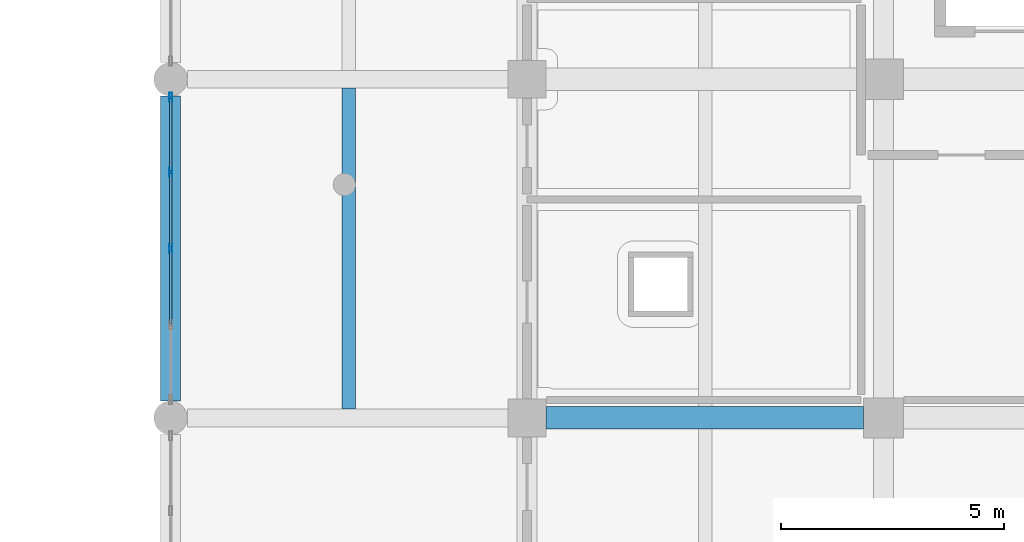
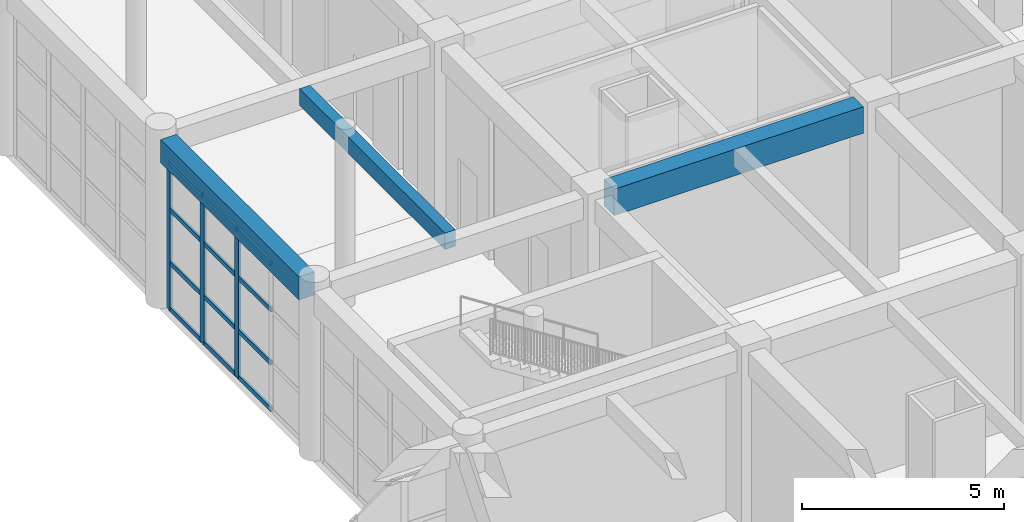
# One storey, part 24 of 95: 15 members, 3 beams, 1 element without a shape of its own.
"""IFC4 building model written with IfcOpenShell, lengths in metres."""

import ifcopenshell
import ifcopenshell.guid

model = None  # the IFC model being written
_history = None  # IfcOwnerHistory: only IFC2X3 demands one
_inside = {}  # id of a spatial element -> (the spatial element, [elements in it])
_under = {}  # id of a project, library or spatial element -> (it, [spatial elements below it])
_declared = {}  # id of a project -> (the project, [libraries it declares])
_typed = {}  # id of a type object -> (the type object, [elements of that type])
_made_of = {}  # id of a material, layer set ... -> (it, [elements and type objects made of it])


def new_model(schema):
    """Start an empty IFC model of exactly this schema.

    Asked for "IFC4X3", IfcOpenShell would pick the latest addendum, in which some entities
    have other attributes; the version numbers below select the first issue.
    IFC2X3 requires an IfcOwnerHistory on every rooted entity: one is made here for all.
    """
    global model, _history
    if schema == "IFC4X3":
        model = ifcopenshell.file(schema_version=(4, 3, 0, 0))
    else:
        model = ifcopenshell.file(schema=schema)
    _inside.clear()
    _under.clear()
    _declared.clear()
    _typed.clear()
    _made_of.clear()
    _history = None
    if model.schema == "IFC2X3":
        org = make("IfcOrganization", Name="unknown")
        user = make(
            "IfcPersonAndOrganization",
            ThePerson=make("IfcPerson", FamilyName="unknown"),
            TheOrganization=org,
        )
        app = make(
            "IfcApplication",
            ApplicationDeveloper=org,
            Version="unknown",
            ApplicationFullName="unknown",
            ApplicationIdentifier="unknown",
        )
        _history = make(
            "IfcOwnerHistory",
            OwningUser=user,
            OwningApplication=app,
            ChangeAction="ADDED",
            CreationDate=0,
        )
    return model


def make(cls, **values):
    """One entity of the class cls with the attributes given. An attribute that is None is left unset."""
    return model.create_entity(
        cls, **{name: value for name, value in values.items() if value is not None}
    )


def rooted(cls, **values):
    """An entity with a GlobalId (a new one), such as an element, a storey or a relation."""
    return make(cls, GlobalId=ifcopenshell.guid.new(), OwnerHistory=_history, **values)


def si_unit(unit_type, name, prefix=None):
    """IfcSIUnit, for example si_unit("LENGTHUNIT", "METRE", prefix="MILLI")."""
    return make("IfcSIUnit", UnitType=unit_type, Prefix=prefix, Name=name)


def assignment(units):
    """IfcUnitAssignment: the units of a project."""
    return None if units is None else make("IfcUnitAssignment", Units=units)


def point(xyz):
    """IfcCartesianPoint."""
    return None if xyz is None else make("IfcCartesianPoint", Coordinates=xyz)


def direction(xyz):
    """IfcDirection."""
    return None if xyz is None else make("IfcDirection", DirectionRatios=xyz)


def frame(location, z_axis=None, x_axis=None):
    """IfcAxis2Placement3D, a coordinate frame: its origin and axes. An axis left out is left unset."""
    return make(
        "IfcAxis2Placement3D",
        Location=point(location),
        Axis=direction(z_axis),
        RefDirection=direction(x_axis),
    )


def frame_2d(location, x_axis=None):
    """IfcAxis2Placement2D, a coordinate frame in the plane: its origin and x axis."""
    return make(
        "IfcAxis2Placement2D", Location=point(location), RefDirection=direction(x_axis)
    )


def origin():
    """The frame at (0, 0, 0) with its axes left unset."""
    return frame((0.0, 0.0, 0.0))


def origin_2d():
    """The frame at (0, 0) in the plane with its x axis left unset."""
    return frame_2d((0.0, 0.0))


def place(relative_to, where):
    """IfcLocalPlacement: puts the frame where relative to a parent placement (None: the world)."""
    return make(
        "IfcLocalPlacement", PlacementRelTo=relative_to, RelativePlacement=where
    )


def context(
    kind, dimensions, precision=None, world=None, true_north=None, identifier=None
):
    """IfcGeometricRepresentationContext, for example the 3D "Model" context."""
    return make(
        "IfcGeometricRepresentationContext",
        ContextIdentifier=identifier,
        ContextType=kind,
        CoordinateSpaceDimension=dimensions,
        Precision=precision,
        WorldCoordinateSystem=world,
        TrueNorth=true_north,
    )


def subcontext(parent, identifier, kind, view, scale=None):
    """IfcGeometricRepresentationSubContext, for example "Body" below "Model"."""
    return make(
        "IfcGeometricRepresentationSubContext",
        ContextIdentifier=identifier,
        ContextType=kind,
        ParentContext=parent,
        TargetScale=scale,
        TargetView=view,
    )


def project(units=None, contexts=None):
    """IfcProject with its units and contexts."""
    return rooted(
        "IfcProject",
        Name="project",
        RepresentationContexts=contexts,
        UnitsInContext=assignment(units),
    )


def spatial(cls, under=None, at=None, **own):
    """A site, building, storey or space (cls), placed at a placement, below another one or the project."""
    s = rooted(cls, ObjectPlacement=at, **own)
    if under is not None:
        _under.setdefault(under.id(), (under, []))[1].append(s)
    return s


def profile(cls, at=None, kind="AREA", **sizes):
    """A parametric profile (cls). Its sizes go by their IFC names, for example OverallWidth=200.0."""
    return make(cls, ProfileType=kind, Position=at, **sizes)


def rectangle(**sizes):
    """IfcRectangleProfileDef."""
    return profile("IfcRectangleProfileDef", **sizes)


def hollow_rectangle(**sizes):
    """IfcRectangleHollowProfileDef."""
    return profile("IfcRectangleHollowProfileDef", **sizes)


def extrude(swept, where, along, depth):
    """IfcExtrudedAreaSolid: the profile swept, set in the frame where, extruded along a direction by depth."""
    return make(
        "IfcExtrudedAreaSolid",
        SweptArea=swept,
        Position=where,
        ExtrudedDirection=direction(along),
        Depth=depth,
    )


def shape(context_of_items, identifier, shape_type, items):
    """IfcShapeRepresentation: the items that make up one representation, for example the "Body"."""
    return make(
        "IfcShapeRepresentation",
        ContextOfItems=context_of_items,
        RepresentationIdentifier=identifier,
        RepresentationType=shape_type,
        Items=items,
    )


def material(Name=None, Category=None):
    """IfcMaterial."""
    return make("IfcMaterial", Name=Name, Category=Category)


def material_profile(
    of_material, cross_section, Name=None, Category=None, Priority=None
):
    """IfcMaterialProfile: a cross section and its material."""
    return make(
        "IfcMaterialProfile",
        Name=Name,
        Material=of_material,
        Profile=cross_section,
        Priority=Priority,
        Category=Category,
    )


def profile_set(profiles, Name=None, composite=None):
    """IfcMaterialProfileSet."""
    return make(
        "IfcMaterialProfileSet",
        Name=Name,
        MaterialProfiles=profiles,
        CompositeProfile=composite,
    )


def made_of(thing, what):
    """Note that an element or type object is made of a material, layer set ...; save() writes the relation."""
    if what is not None:
        _made_of.setdefault(what.id(), (what, []))[1].append(thing)
    return thing


def type_object(cls, material=None, **own):
    """A type object (cls), such as IfcWallType, which elements share."""
    return made_of(rooted(cls, **own), material)


def element(
    cls,
    number,
    at=None,
    inside=None,
    cuts=None,
    type_object=None,
    material=None,
    context=None,
    identifier="Body",
    shape_type=None,
    held_by="IfcProductDefinitionShape",
    body=None,
    shapes=None,
    **own,
):
    """One element of the class cls, such as IfcWall. Its Tag is "e" and its number.

    at: its placement. inside: the storey or other place that contains it. cuts: it is an
    opening in that element (IfcRelVoidsElement). A single representation is given by context,
    identifier, shape_type and body (its items); several are given by shapes. held_by: the class
    of the entity that holds the representations. save() writes the other relations.
    """
    e = rooted(cls, Tag="e%d" % number, ObjectPlacement=at, **own)
    if body is not None:
        shapes = [shape(context, identifier, shape_type, body)]
    if shapes is not None:
        e.Representation = make(held_by, Representations=shapes)
    if inside is not None:
        _inside.setdefault(inside.id(), (inside, []))[1].append(e)
    if cuts is not None:
        rooted(
            "IfcRelVoidsElement", RelatingBuildingElement=cuts, RelatedOpeningElement=e
        )
    if type_object is not None:
        _typed.setdefault(type_object.id(), (type_object, []))[1].append(e)
    return made_of(e, material)


def aggregate(whole, parts):
    """IfcRelAggregates: a whole, such as a stair, and the parts it consists of."""
    return rooted("IfcRelAggregates", RelatingObject=whole, RelatedObjects=parts)


def save(model, path):
    """Write the relations noted so far, then the file.

    IfcRelAggregates (storeys below a building ...), IfcRelContainedInSpatialStructure (elements
    in a storey), IfcRelDefinesByType, IfcRelAssociatesMaterial and IfcRelDeclares: one each for
    every whole, place, type object, material and project.
    """
    for whole, parts in _under.values():
        aggregate(whole, parts)
    for where, things in _inside.values():
        rooted(
            "IfcRelContainedInSpatialStructure",
            RelatedElements=things,
            RelatingStructure=where,
        )
    for kind, things in _typed.values():
        rooted("IfcRelDefinesByType", RelatedObjects=things, RelatingType=kind)
    for what, things in _made_of.values():
        rooted("IfcRelAssociatesMaterial", RelatedObjects=things, RelatingMaterial=what)
    for by, libraries in _declared.values():
        rooted("IfcRelDeclares", RelatingContext=by, RelatedDefinitions=libraries)
    model.write(path)


model = new_model("IFC4")

# Units and contexts
model_context = context("Model", 3, precision=1e-05, world=origin(), true_north=direction((0.0, 1.0)))
body_context = subcontext(model_context, "Body", "Model", "MODEL_VIEW")
ifc_project = project(units=[si_unit("LENGTHUNIT", "METRE"), si_unit("AREAUNIT", "SQUARE_METRE"), si_unit("VOLUMEUNIT", "CUBIC_METRE"), si_unit("PLANEANGLEUNIT", "RADIAN"), si_unit("MASSUNIT", "GRAM", prefix="KILO")], contexts=[model_context])

# Site, building, storey
site_placement = place(None, origin())
site = spatial("IfcSite", under=ifc_project, at=site_placement, CompositionType="ELEMENT")
building_placement = place(site_placement, origin())
building = spatial("IfcBuilding", under=site, at=building_placement, Name="Zantavel Square City Hall", CompositionType="ELEMENT")
storey_placement = place(building_placement, origin())
storey = spatial("IfcBuildingStorey", under=building, at=storey_placement, Name="L01", CompositionType="ELEMENT", Elevation=0.0)

# Curtain wall, members
ifc_material_1 = material(Name="Anodised aluminium 6063-T6", Category="aluminium")
curtain_wall_type = type_object("IfcCurtainWallType", Name="Curtain Wall CRT 6850x4460", PredefinedType="USERDEFINED", material=ifc_material_1)
curtain_wall_placement = place(storey_placement, origin())
curtain_wall = element("IfcCurtainWall", 1, at=curtain_wall_placement, inside=storey, type_object=curtain_wall_type, Name="L01 Glazed Curtain Wall CW-L01-015", ObjectType="GLAZED CURTAIN WALL", PredefinedType="USERDEFINED")
ifc_material_profile_1 = material_profile(ifc_material_1, hollow_rectangle(XDim=0.070068359375, YDim=0.199951171875, WallThickness=0.00439453125, at=origin_2d()), Name="ALU 70x200x4.5")
ifc_profile_set_1 = profile_set([ifc_material_profile_1], Name="Anodised aluminium 6063-T6")
member_type_1 = type_object("IfcMemberType", Name="CW Heavy Hall Mullion ALU 70x200x4.5", PredefinedType="MULLION", material=ifc_profile_set_1)
member_1_placement = place(storey_placement, frame((48.0, 49.39990234375, 0.0), z_axis=(0.0, 0.0, 1.0), x_axis=(-1.0, 0.0, 0.0)))
member_1 = element("IfcMember", 2, at=member_1_placement, type_object=member_type_1, Name="CW-015 mullion 3", PredefinedType="MULLION", context=body_context, shape_type="SweptSolid", body=[
    extrude(hollow_rectangle(XDim=0.070068359375, YDim=0.199951171875, WallThickness=0.00439453125, at=origin_2d()), origin(), (0.0, 0.0, 1.0), 4.4599609375),
])
member_2_placement = place(storey_placement, frame((48.0, 51.112548828125, 0.0), z_axis=(0.0, 0.0, 1.0), x_axis=(-1.0, 0.0, 0.0)))
member_2 = element("IfcMember", 3, at=member_2_placement, type_object=member_type_1, Name="CW-015 mullion 4", PredefinedType="MULLION", context=body_context, shape_type="SweptSolid", body=[
    extrude(hollow_rectangle(XDim=0.070068359375, YDim=0.199951171875, WallThickness=0.00439453125, at=origin_2d()), origin(), (0.0, 0.0, 1.0), 4.4599609375),
])
member_3_placement = place(storey_placement, frame((48.0, 52.794921875, 0.0), z_axis=(0.0, 0.0, 1.0), x_axis=(-1.0, 0.0, 0.0)))
member_3 = element("IfcMember", 4, at=member_3_placement, type_object=member_type_1, Name="CW-015 mullion 5", PredefinedType="MULLION", context=body_context, shape_type="SweptSolid", body=[
    extrude(hollow_rectangle(XDim=0.070068359375, YDim=0.199951171875, WallThickness=0.00439453125, at=origin_2d()), origin(), (0.0, 0.0, 1.0), 4.4599609375),
])
ifc_material_profile_2 = material_profile(ifc_material_1, hollow_rectangle(XDim=0.06005859375, YDim=0.139892578125, WallThickness=0.00390625, at=origin_2d()), Name="ALU 60x140x4")
ifc_profile_set_2 = profile_set([ifc_material_profile_2], Name="Anodised aluminium 6063-T6")
member_type_2 = type_object("IfcMemberType", Name="CW Transom ALU 60x140x4", PredefinedType="USERDEFINED", material=ifc_profile_set_2)
member_4_placement = place(storey_placement, frame((48.0, 47.717529296875, 0.030029296875), z_axis=(0.0, 1.0, 0.0), x_axis=(-1.0, 0.0, 0.0)))
member_4 = element("IfcMember", 5, at=member_4_placement, type_object=member_type_2, Name="CW-015 transom 2.1", ObjectType="TRANSOM", PredefinedType="USERDEFINED", context=body_context, shape_type="SweptSolid", body=[
    extrude(hollow_rectangle(XDim=0.06005859375, YDim=0.139892578125, WallThickness=0.00390625, at=origin_2d()), origin(), (0.0, 0.0, 1.0), 1.652587890625),
])
member_5_placement = place(storey_placement, frame((48.0, 47.717529296875, 1.427001953125), z_axis=(0.0, 1.0, 0.0), x_axis=(-1.0, 0.0, 0.0)))
member_5 = element("IfcMember", 6, at=member_5_placement, type_object=member_type_2, Name="CW-015 transom 2.2", ObjectType="TRANSOM", PredefinedType="USERDEFINED", context=body_context, shape_type="SweptSolid", body=[
    extrude(hollow_rectangle(XDim=0.06005859375, YDim=0.139892578125, WallThickness=0.00390625, at=origin_2d()), origin(), (0.0, 0.0, 1.0), 1.652587890625),
])
member_6_placement = place(storey_placement, frame((48.0, 47.717529296875, 3.032958984375), z_axis=(0.0, 1.0, 0.0), x_axis=(-1.0, 0.0, 0.0)))
member_6 = element("IfcMember", 7, at=member_6_placement, type_object=member_type_2, Name="CW-015 transom 2.3", ObjectType="TRANSOM", PredefinedType="USERDEFINED", context=body_context, shape_type="SweptSolid", body=[
    extrude(hollow_rectangle(XDim=0.06005859375, YDim=0.139892578125, WallThickness=0.00390625, at=origin_2d()), origin(), (0.0, 0.0, 1.0), 1.652587890625),
])
member_7_placement = place(storey_placement, frame((48.0, 47.717529296875, 4.429931640625), z_axis=(0.0, 1.0, 0.0), x_axis=(-1.0, 0.0, 0.0)))
member_7 = element("IfcMember", 8, at=member_7_placement, type_object=member_type_2, Name="CW-015 transom 2.4", ObjectType="TRANSOM", PredefinedType="USERDEFINED", context=body_context, shape_type="SweptSolid", body=[
    extrude(hollow_rectangle(XDim=0.06005859375, YDim=0.139892578125, WallThickness=0.00390625, at=origin_2d()), origin(), (0.0, 0.0, 1.0), 1.652587890625),
])
member_8_placement = place(storey_placement, frame((48.0, 49.429931640625, 0.030029296875), z_axis=(0.0, 1.0, 0.0), x_axis=(-1.0, 0.0, 0.0)))
member_8 = element("IfcMember", 9, at=member_8_placement, type_object=member_type_2, Name="CW-015 transom 3.1", ObjectType="TRANSOM", PredefinedType="USERDEFINED", context=body_context, shape_type="SweptSolid", body=[
    extrude(hollow_rectangle(XDim=0.06005859375, YDim=0.139892578125, WallThickness=0.00390625, at=origin_2d()), origin(), (0.0, 0.0, 1.0), 1.652587890625),
])
member_9_placement = place(storey_placement, frame((48.0, 49.429931640625, 1.427001953125), z_axis=(0.0, 1.0, 0.0), x_axis=(-1.0, 0.0, 0.0)))
member_9 = element("IfcMember", 10, at=member_9_placement, type_object=member_type_2, Name="CW-015 transom 3.2", ObjectType="TRANSOM", PredefinedType="USERDEFINED", context=body_context, shape_type="SweptSolid", body=[
    extrude(hollow_rectangle(XDim=0.06005859375, YDim=0.139892578125, WallThickness=0.00390625, at=origin_2d()), origin(), (0.0, 0.0, 1.0), 1.652587890625),
])
member_10_placement = place(storey_placement, frame((48.0, 49.429931640625, 3.032958984375), z_axis=(0.0, 1.0, 0.0), x_axis=(-1.0, 0.0, 0.0)))
member_10 = element("IfcMember", 11, at=member_10_placement, type_object=member_type_2, Name="CW-015 transom 3.3", ObjectType="TRANSOM", PredefinedType="USERDEFINED", context=body_context, shape_type="SweptSolid", body=[
    extrude(hollow_rectangle(XDim=0.06005859375, YDim=0.139892578125, WallThickness=0.00390625, at=origin_2d()), origin(), (0.0, 0.0, 1.0), 1.652587890625),
])
member_11_placement = place(storey_placement, frame((48.0, 49.429931640625, 4.429931640625), z_axis=(0.0, 1.0, 0.0), x_axis=(-1.0, 0.0, 0.0)))
member_11 = element("IfcMember", 12, at=member_11_placement, type_object=member_type_2, Name="CW-015 transom 3.4", ObjectType="TRANSOM", PredefinedType="USERDEFINED", context=body_context, shape_type="SweptSolid", body=[
    extrude(hollow_rectangle(XDim=0.06005859375, YDim=0.139892578125, WallThickness=0.00390625, at=origin_2d()), origin(), (0.0, 0.0, 1.0), 1.652587890625),
])
member_12_placement = place(storey_placement, frame((48.0, 51.142578125, 0.030029296875), z_axis=(0.0, 1.0, 0.0), x_axis=(-1.0, 0.0, 0.0)))
member_12 = element("IfcMember", 13, at=member_12_placement, type_object=member_type_2, Name="CW-015 transom 4.1", ObjectType="TRANSOM", PredefinedType="USERDEFINED", context=body_context, shape_type="SweptSolid", body=[
    extrude(hollow_rectangle(XDim=0.06005859375, YDim=0.139892578125, WallThickness=0.00390625, at=origin_2d()), origin(), (0.0, 0.0, 1.0), 1.622314453125),
])
member_13_placement = place(storey_placement, frame((48.0, 51.142578125, 1.427001953125), z_axis=(0.0, 1.0, 0.0), x_axis=(-1.0, 0.0, 0.0)))
member_13 = element("IfcMember", 14, at=member_13_placement, type_object=member_type_2, Name="CW-015 transom 4.2", ObjectType="TRANSOM", PredefinedType="USERDEFINED", context=body_context, shape_type="SweptSolid", body=[
    extrude(hollow_rectangle(XDim=0.06005859375, YDim=0.139892578125, WallThickness=0.00390625, at=origin_2d()), origin(), (0.0, 0.0, 1.0), 1.622314453125),
])
member_14_placement = place(storey_placement, frame((48.0, 51.142578125, 3.032958984375), z_axis=(0.0, 1.0, 0.0), x_axis=(-1.0, 0.0, 0.0)))
member_14 = element("IfcMember", 15, at=member_14_placement, type_object=member_type_2, Name="CW-015 transom 4.3", ObjectType="TRANSOM", PredefinedType="USERDEFINED", context=body_context, shape_type="SweptSolid", body=[
    extrude(hollow_rectangle(XDim=0.06005859375, YDim=0.139892578125, WallThickness=0.00390625, at=origin_2d()), origin(), (0.0, 0.0, 1.0), 1.622314453125),
])
member_15_placement = place(storey_placement, frame((48.0, 51.142578125, 4.429931640625), z_axis=(0.0, 1.0, 0.0), x_axis=(-1.0, 0.0, 0.0)))
member_15 = element("IfcMember", 16, at=member_15_placement, type_object=member_type_2, Name="CW-015 transom 4.4", ObjectType="TRANSOM", PredefinedType="USERDEFINED", context=body_context, shape_type="SweptSolid", body=[
    extrude(hollow_rectangle(XDim=0.06005859375, YDim=0.139892578125, WallThickness=0.00390625, at=origin_2d()), origin(), (0.0, 0.0, 1.0), 1.622314453125),
])
aggregate(curtain_wall, [member_1, member_2, member_3, member_4, member_5, member_6, member_7, member_8, member_9, member_10, member_11, member_12, member_13, member_14, member_15])

# Beams
ifc_material_2 = material(Name="Concrete C35/45", Category="concrete")
ifc_material_profile_3 = material_profile(ifc_material_2, rectangle(XDim=0.300048828125, YDim=0.5, at=origin_2d()), Name="RC 300x500")
ifc_profile_set_3 = profile_set([ifc_material_profile_3], Name="Concrete C35/45")
beam_type_1 = type_object("IfcBeamType", Name="Floor Joist RC 300x500 C35/45", PredefinedType="JOIST", material=ifc_profile_set_3)
beam_1_placement = place(storey_placement, frame((52.0, 45.800048828125, 4.909912109375), z_axis=(0.0, 1.0, 0.0), x_axis=(-1.0, 0.0, 0.0)))
element("IfcBeam", 17, at=beam_1_placement, inside=storey, type_object=beam_type_1, Name="L01 Floor Joist JST-L01-0520-0456", PredefinedType="JOIST", context=body_context, shape_type="SweptSolid", body=[
    extrude(rectangle(XDim=0.300048828125, YDim=0.5, at=origin_2d()), origin(), (0.0, 0.0, 1.0), 7.199951171875),
])
ifc_material_profile_4 = material_profile(ifc_material_2, rectangle(XDim=0.449951171875, YDim=0.699951171875, at=origin_2d()), Name="RC 450x700")
ifc_profile_set_4 = profile_set([ifc_material_profile_4], Name="Concrete C35/45")
beam_type_2 = type_object("IfcBeamType", Name="Primary Girder RC 450x700 C35/45", PredefinedType="BEAM", material=ifc_profile_set_4)
beam_2_placement = place(storey_placement, frame((48.0, 45.97509765625, 4.81005859375), z_axis=(0.0, 1.0, 0.0), x_axis=(-1.0, 0.0, 0.0)))
element("IfcBeam", 18, at=beam_2_placement, inside=storey, type_object=beam_type_2, Name="L01 Beam BMY-L01-0480-0456", PredefinedType="BEAM", context=body_context, shape_type="SweptSolid", body=[
    extrude(rectangle(XDim=0.449951171875, YDim=0.699951171875, at=origin_2d()), origin(), (0.0, 0.0, 1.0), 6.849853515625),
])
ifc_material_profile_5 = material_profile(ifc_material_2, rectangle(XDim=0.5, YDim=0.800048828125, at=origin_2d()), Name="RC 500x800")
ifc_profile_set_5 = profile_set([ifc_material_profile_5], Name="Concrete C35/45")
beam_type_3 = type_object("IfcBeamType", Name="Primary Girder RC 500x800 C35/45", PredefinedType="BEAM", material=ifc_profile_set_5)
beam_3_placement = place(storey_placement, frame((56.425048828125, 45.60009765625, 4.760009765625), z_axis=(1.0, 0.0, 0.0), x_axis=(0.0, 1.0, 0.0)))
element("IfcBeam", 19, at=beam_3_placement, inside=storey, type_object=beam_type_3, Name="L01 Girder BMX-L01-0560-0456", PredefinedType="BEAM", context=body_context, shape_type="SweptSolid", body=[
    extrude(rectangle(XDim=0.5, YDim=0.800048828125, at=origin_2d()), origin(), (0.0, 0.0, 1.0), 7.125),
])

save(model, "model.ifc")
